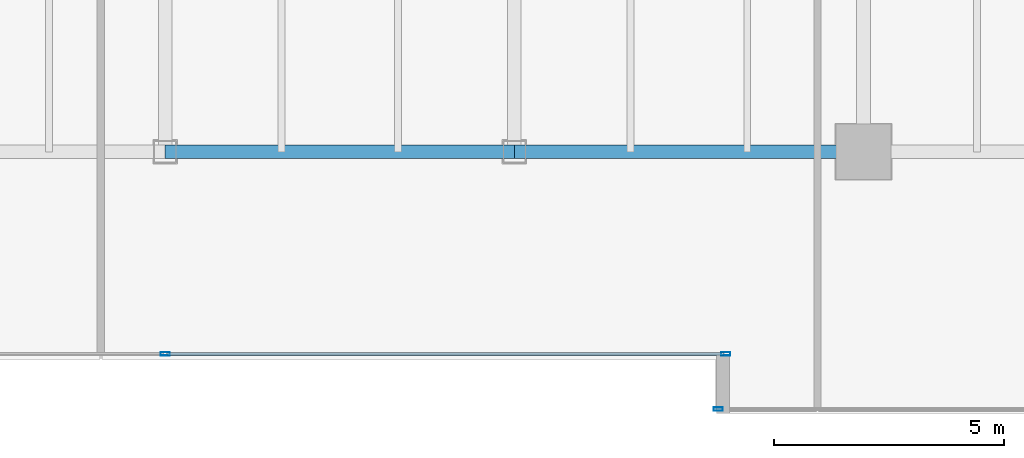
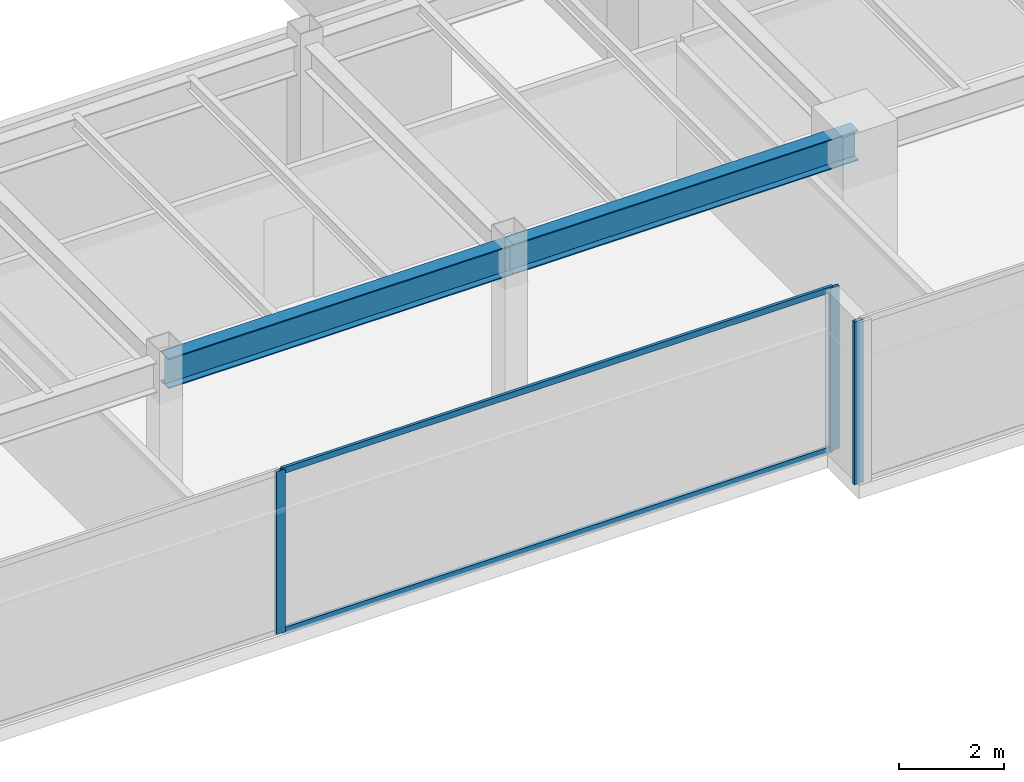
# One storey, part 10 of 34: 5 members, 2 beams, 2 elements without a shape of their own.
"""IFC4 building model written with IfcOpenShell, lengths in metres."""

import ifcopenshell
import ifcopenshell.guid

model = None  # the IFC model being written
_history = None  # IfcOwnerHistory: only IFC2X3 demands one
_inside = {}  # id of a spatial element -> (the spatial element, [elements in it])
_under = {}  # id of a project, library or spatial element -> (it, [spatial elements below it])
_declared = {}  # id of a project -> (the project, [libraries it declares])
_typed = {}  # id of a type object -> (the type object, [elements of that type])
_made_of = {}  # id of a material, layer set ... -> (it, [elements and type objects made of it])


def new_model(schema):
    """Start an empty IFC model of exactly this schema.

    Asked for "IFC4X3", IfcOpenShell would pick the latest addendum, in which some entities
    have other attributes; the version numbers below select the first issue.
    IFC2X3 requires an IfcOwnerHistory on every rooted entity: one is made here for all.
    """
    global model, _history
    if schema == "IFC4X3":
        model = ifcopenshell.file(schema_version=(4, 3, 0, 0))
    else:
        model = ifcopenshell.file(schema=schema)
    _inside.clear()
    _under.clear()
    _declared.clear()
    _typed.clear()
    _made_of.clear()
    _history = None
    if model.schema == "IFC2X3":
        org = make("IfcOrganization", Name="unknown")
        user = make(
            "IfcPersonAndOrganization",
            ThePerson=make("IfcPerson", FamilyName="unknown"),
            TheOrganization=org,
        )
        app = make(
            "IfcApplication",
            ApplicationDeveloper=org,
            Version="unknown",
            ApplicationFullName="unknown",
            ApplicationIdentifier="unknown",
        )
        _history = make(
            "IfcOwnerHistory",
            OwningUser=user,
            OwningApplication=app,
            ChangeAction="ADDED",
            CreationDate=0,
        )
    return model


def make(cls, **values):
    """One entity of the class cls with the attributes given. An attribute that is None is left unset."""
    return model.create_entity(
        cls, **{name: value for name, value in values.items() if value is not None}
    )


def rooted(cls, **values):
    """An entity with a GlobalId (a new one), such as an element, a storey or a relation."""
    return make(cls, GlobalId=ifcopenshell.guid.new(), OwnerHistory=_history, **values)


def si_unit(unit_type, name, prefix=None):
    """IfcSIUnit, for example si_unit("LENGTHUNIT", "METRE", prefix="MILLI")."""
    return make("IfcSIUnit", UnitType=unit_type, Prefix=prefix, Name=name)


def assignment(units):
    """IfcUnitAssignment: the units of a project."""
    return None if units is None else make("IfcUnitAssignment", Units=units)


def point(xyz):
    """IfcCartesianPoint."""
    return None if xyz is None else make("IfcCartesianPoint", Coordinates=xyz)


def direction(xyz):
    """IfcDirection."""
    return None if xyz is None else make("IfcDirection", DirectionRatios=xyz)


def frame(location, z_axis=None, x_axis=None):
    """IfcAxis2Placement3D, a coordinate frame: its origin and axes. An axis left out is left unset."""
    return make(
        "IfcAxis2Placement3D",
        Location=point(location),
        Axis=direction(z_axis),
        RefDirection=direction(x_axis),
    )


def frame_2d(location, x_axis=None):
    """IfcAxis2Placement2D, a coordinate frame in the plane: its origin and x axis."""
    return make(
        "IfcAxis2Placement2D", Location=point(location), RefDirection=direction(x_axis)
    )


def origin():
    """The frame at (0, 0, 0) with its axes left unset."""
    return frame((0.0, 0.0, 0.0))


def origin_2d():
    """The frame at (0, 0) in the plane with its x axis left unset."""
    return frame_2d((0.0, 0.0))


def place(relative_to, where):
    """IfcLocalPlacement: puts the frame where relative to a parent placement (None: the world)."""
    return make(
        "IfcLocalPlacement", PlacementRelTo=relative_to, RelativePlacement=where
    )


def context(
    kind, dimensions, precision=None, world=None, true_north=None, identifier=None
):
    """IfcGeometricRepresentationContext, for example the 3D "Model" context."""
    return make(
        "IfcGeometricRepresentationContext",
        ContextIdentifier=identifier,
        ContextType=kind,
        CoordinateSpaceDimension=dimensions,
        Precision=precision,
        WorldCoordinateSystem=world,
        TrueNorth=true_north,
    )


def subcontext(parent, identifier, kind, view, scale=None):
    """IfcGeometricRepresentationSubContext, for example "Body" below "Model"."""
    return make(
        "IfcGeometricRepresentationSubContext",
        ContextIdentifier=identifier,
        ContextType=kind,
        ParentContext=parent,
        TargetScale=scale,
        TargetView=view,
    )


def project(units=None, contexts=None):
    """IfcProject with its units and contexts."""
    return rooted(
        "IfcProject",
        Name="project",
        RepresentationContexts=contexts,
        UnitsInContext=assignment(units),
    )


def spatial(cls, under=None, at=None, **own):
    """A site, building, storey or space (cls), placed at a placement, below another one or the project."""
    s = rooted(cls, ObjectPlacement=at, **own)
    if under is not None:
        _under.setdefault(under.id(), (under, []))[1].append(s)
    return s


def profile(cls, at=None, kind="AREA", **sizes):
    """A parametric profile (cls). Its sizes go by their IFC names, for example OverallWidth=200.0."""
    return make(cls, ProfileType=kind, Position=at, **sizes)


def hollow_rectangle(**sizes):
    """IfcRectangleHollowProfileDef."""
    return profile("IfcRectangleHollowProfileDef", **sizes)


def i_section(**sizes):
    """IfcIShapeProfileDef."""
    return profile("IfcIShapeProfileDef", **sizes)


def extrude(swept, where, along, depth):
    """IfcExtrudedAreaSolid: the profile swept, set in the frame where, extruded along a direction by depth."""
    return make(
        "IfcExtrudedAreaSolid",
        SweptArea=swept,
        Position=where,
        ExtrudedDirection=direction(along),
        Depth=depth,
    )


def shape(context_of_items, identifier, shape_type, items):
    """IfcShapeRepresentation: the items that make up one representation, for example the "Body"."""
    return make(
        "IfcShapeRepresentation",
        ContextOfItems=context_of_items,
        RepresentationIdentifier=identifier,
        RepresentationType=shape_type,
        Items=items,
    )


def source(mapping_origin, context_of_items, identifier, shape_type, items):
    """IfcRepresentationMap: a shape defined once, which mapped items show again and again."""
    return make(
        "IfcRepresentationMap",
        MappingOrigin=mapping_origin,
        MappedRepresentation=shape(context_of_items, identifier, shape_type, items),
    )


def transform(
    local_origin,
    x_axis=None,
    y_axis=None,
    z_axis=None,
    scale=None,
    scale2=None,
    scale3=None,
    uniform=True,
):
    """IfcCartesianTransformationOperator3D, or its non-uniform kind. x_axis, y_axis, z_axis: its Axis1, 2, 3."""
    if uniform:
        return make(
            "IfcCartesianTransformationOperator3D",
            Axis1=direction(x_axis),
            Axis2=direction(y_axis),
            LocalOrigin=point(local_origin),
            Scale=scale,
            Axis3=direction(z_axis),
        )
    return make(
        "IfcCartesianTransformationOperator3DnonUniform",
        Axis1=direction(x_axis),
        Axis2=direction(y_axis),
        LocalOrigin=point(local_origin),
        Scale=scale,
        Axis3=direction(z_axis),
        Scale2=scale2,
        Scale3=scale3,
    )


def mapped(mapping_source, mapping_target):
    """IfcMappedItem: shows the shape of a source again, moved by a transform."""
    return make(
        "IfcMappedItem", MappingSource=mapping_source, MappingTarget=mapping_target
    )


def material(Name=None, Category=None):
    """IfcMaterial."""
    return make("IfcMaterial", Name=Name, Category=Category)


def layer(
    of_material, thickness, ventilated=None, Name=None, Category=None, Priority=None
):
    """IfcMaterialLayer: one layer of a wall or slab, of a material (None: an air gap)."""
    return make(
        "IfcMaterialLayer",
        Material=of_material,
        LayerThickness=thickness,
        IsVentilated=ventilated,
        Name=Name,
        Category=Category,
        Priority=Priority,
    )


def layer_set(layers, Name=None):
    """IfcMaterialLayerSet."""
    return make("IfcMaterialLayerSet", MaterialLayers=layers, LayerSetName=Name)


def material_profile(
    of_material, cross_section, Name=None, Category=None, Priority=None
):
    """IfcMaterialProfile: a cross section and its material."""
    return make(
        "IfcMaterialProfile",
        Name=Name,
        Material=of_material,
        Profile=cross_section,
        Priority=Priority,
        Category=Category,
    )


def profile_set(profiles, Name=None, composite=None):
    """IfcMaterialProfileSet."""
    return make(
        "IfcMaterialProfileSet",
        Name=Name,
        MaterialProfiles=profiles,
        CompositeProfile=composite,
    )


def made_of(thing, what):
    """Note that an element or type object is made of a material, layer set ...; save() writes the relation."""
    if what is not None:
        _made_of.setdefault(what.id(), (what, []))[1].append(thing)
    return thing


def type_object(cls, material=None, **own):
    """A type object (cls), such as IfcWallType, which elements share."""
    return made_of(rooted(cls, **own), material)


def type_shapes(of_type, sources):
    """Give a type object the sources (RepresentationMaps) that its elements show as mapped items."""
    of_type.RepresentationMaps = sources


def element(
    cls,
    number,
    at=None,
    inside=None,
    cuts=None,
    type_object=None,
    material=None,
    context=None,
    identifier="Body",
    shape_type=None,
    held_by="IfcProductDefinitionShape",
    body=None,
    shapes=None,
    **own,
):
    """One element of the class cls, such as IfcWall. Its Tag is "e" and its number.

    at: its placement. inside: the storey or other place that contains it. cuts: it is an
    opening in that element (IfcRelVoidsElement). A single representation is given by context,
    identifier, shape_type and body (its items); several are given by shapes. held_by: the class
    of the entity that holds the representations. save() writes the other relations.
    """
    e = rooted(cls, Tag="e%d" % number, ObjectPlacement=at, **own)
    if body is not None:
        shapes = [shape(context, identifier, shape_type, body)]
    if shapes is not None:
        e.Representation = make(held_by, Representations=shapes)
    if inside is not None:
        _inside.setdefault(inside.id(), (inside, []))[1].append(e)
    if cuts is not None:
        rooted(
            "IfcRelVoidsElement", RelatingBuildingElement=cuts, RelatedOpeningElement=e
        )
    if type_object is not None:
        _typed.setdefault(type_object.id(), (type_object, []))[1].append(e)
    return made_of(e, material)


def aggregate(whole, parts):
    """IfcRelAggregates: a whole, such as a stair, and the parts it consists of."""
    return rooted("IfcRelAggregates", RelatingObject=whole, RelatedObjects=parts)


def save(model, path):
    """Write the relations noted so far, then the file.

    IfcRelAggregates (storeys below a building ...), IfcRelContainedInSpatialStructure (elements
    in a storey), IfcRelDefinesByType, IfcRelAssociatesMaterial and IfcRelDeclares: one each for
    every whole, place, type object, material and project.
    """
    for whole, parts in _under.values():
        aggregate(whole, parts)
    for where, things in _inside.values():
        rooted(
            "IfcRelContainedInSpatialStructure",
            RelatedElements=things,
            RelatingStructure=where,
        )
    for kind, things in _typed.values():
        rooted("IfcRelDefinesByType", RelatedObjects=things, RelatingType=kind)
    for what, things in _made_of.values():
        rooted("IfcRelAssociatesMaterial", RelatedObjects=things, RelatingMaterial=what)
    for by, libraries in _declared.values():
        rooted("IfcRelDeclares", RelatingContext=by, RelatedDefinitions=libraries)
    model.write(path)


model = new_model("IFC4")

# Units and contexts
model_context = context("Model", 3, precision=1e-05, world=origin(), true_north=direction((0.0, 1.0)))
body_context = subcontext(model_context, "Body", "Model", "MODEL_VIEW")
ifc_project = project(units=[si_unit("LENGTHUNIT", "METRE"), si_unit("AREAUNIT", "SQUARE_METRE"), si_unit("VOLUMEUNIT", "CUBIC_METRE"), si_unit("PLANEANGLEUNIT", "RADIAN"), si_unit("MASSUNIT", "GRAM", prefix="KILO")], contexts=[model_context])

# Site, building, storey
site_placement = place(None, origin())
site = spatial("IfcSite", under=ifc_project, at=site_placement, CompositionType="ELEMENT")
building_placement = place(site_placement, origin())
building = spatial("IfcBuilding", under=site, at=building_placement, Name="Haelvirn Gate Laboratories", CompositionType="ELEMENT")
storey_placement = place(building_placement, frame((0.0, 0.0, 178.89990234375)))
storey = spatial("IfcBuildingStorey", under=building, at=storey_placement, Name="L43", CompositionType="ELEMENT", Elevation=178.89990234375)

# Beams
ifc_material_1 = material(Name="Steel SM355", Category="steel")
ifc_material_profile_1 = material_profile(ifc_material_1, i_section(OverallWidth=0.300048828125, OverallDepth=0.699951171875, WebThickness=0.012939453125, FlangeThickness=0.02392578125, at=origin_2d()), Name="H-700x300x13x24")
ifc_profile_set_1 = profile_set([ifc_material_profile_1], Name="Steel SM355")
beam_type = type_object("IfcBeamType", Name="BM-G-700", PredefinedType="BEAM", material=ifc_profile_set_1)
shared_shape_1 = source(origin(), body_context, "Body", "SweptSolid", [
    extrude(i_section(OverallWidth=0.300048828125, OverallDepth=0.699951171875, WebThickness=0.012939453125, FlangeThickness=0.02392578125, at=origin_2d()), origin(), (0.0, 0.0, 1.0), 7.60009765625),
])
type_shapes(beam_type, [shared_shape_1])
for number, where, z_axis, x_axis, name in (
    (1, (37.39990234375, 7.0, 3.440185546875), (1.0, 0.0, 0.0), (0.0, 1.0, 0.0), "L43 Primary Girder Y7.0 (37.4-45.0)"),
    (2, (45.0, 7.0, 3.440185546875), (1.0, 0.0, 0.0), (0.0, 1.0, 0.0), "L43 Primary Girder Y7.0 (45.0-52.6)"),
):
    element("IfcBeam", number, at=place(storey_placement, frame(where, z_axis=z_axis, x_axis=x_axis)), inside=storey, type_object=beam_type, Name=name, PredefinedType="BEAM", context=body_context, shape_type="MappedRepresentation", body=[
        mapped(shared_shape_1, transform((0.0, 0.0, 0.0), scale=1.0)),
    ])

# Curtain wall, members
ifc_material_2 = material(Name="Anodised bronze unitised aluminium & triple low-E glass", Category="aluminium")
ifc_layer = layer(ifc_material_2, 0.179931640625, Name="CW-SYS-3")
ifc_layer_set = layer_set([ifc_layer], Name="Anodised bronze unitised aluminium & triple low-E glass")
curtain_wall_type = type_object("IfcCurtainWallType", Name="CW-SYS-3", PredefinedType="NOTDEFINED", material=ifc_layer_set)
curtain_wall_1_placement = place(storey_placement, origin())
curtain_wall_1 = element("IfcCurtainWall", 3, at=curtain_wall_1_placement, inside=storey, type_object=curtain_wall_type, Name="L43 Unitised Curtain Wall CW-L43-P0-E02-1", PredefinedType="NOTDEFINED")
ifc_material_3 = material(Name="Extruded aluminium 6063-T6 (anodised bronze)", Category="aluminium")
ifc_material_profile_2 = material_profile(ifc_material_3, hollow_rectangle(XDim=0.06494140625, YDim=0.139892578125, WallThickness=0.00390625, at=origin_2d()), Name="CWT-140x65x4")
ifc_profile_set_2 = profile_set([ifc_material_profile_2], Name="Extruded aluminium 6063-T6 (anodised bronze)")
member_type_1 = type_object("IfcMemberType", Name="CWT-T140", PredefinedType="USERDEFINED", material=ifc_profile_set_2)
shared_shape_2 = source(origin(), body_context, "Body", "SweptSolid", [
    extrude(hollow_rectangle(XDim=0.06494140625, YDim=0.139892578125, WallThickness=0.00390625, at=origin_2d()), origin(), (0.0, 0.0, 1.0), 12.12744140625),
])
type_shapes(member_type_1, [shared_shape_2])
member_1_placement = place(storey_placement, frame((37.4375, 2.60009765625, 0.03271484375), z_axis=(1.0, 0.0, 0.0), x_axis=(0.0, 1.0, 0.0)))
member_1 = element("IfcMember", 4, at=member_1_placement, type_object=member_type_1, Name="CW3 transom 2.1", ObjectType="TRANSOM", PredefinedType="USERDEFINED", context=body_context, shape_type="MappedRepresentation", body=[
    mapped(shared_shape_2, transform((0.0, 0.0, 0.0), scale=1.0)),
])
member_2_placement = place(storey_placement, frame((37.4375, 2.60009765625, 3.757568359375), z_axis=(1.0, 0.0, 0.0), x_axis=(0.0, 1.0, 0.0)))
member_2 = element("IfcMember", 5, at=member_2_placement, type_object=member_type_1, Name="CW3 transom 2.2", ObjectType="TRANSOM", PredefinedType="USERDEFINED", context=body_context, shape_type="MappedRepresentation", body=[
    mapped(shared_shape_2, transform((0.0, 0.0, 0.0), scale=1.0)),
])
ifc_material_profile_3 = material_profile(ifc_material_3, hollow_rectangle(XDim=0.074951171875, YDim=0.199951171875, WallThickness=0.0048828125, at=origin_2d()), Name="CWM-200x75x5")
ifc_profile_set_3 = profile_set([ifc_material_profile_3], Name="Extruded aluminium 6063-T6 (anodised bronze)")
member_type_2 = type_object("IfcMemberType", Name="CWM-T200", PredefinedType="MULLION", material=ifc_profile_set_3)
shared_shape_3 = source(origin(), body_context, "Body", "SweptSolid", [
    extrude(hollow_rectangle(XDim=0.074951171875, YDim=0.199951171875, WallThickness=0.0048828125, at=origin_2d()), origin(), (0.0, 0.0, 1.0), 3.7900390625),
])
type_shapes(member_type_2, [shared_shape_3])
member_3_placement = place(storey_placement, frame((37.39990234375, 2.60009765625, 0.0), z_axis=(0.0, 0.0, 1.0), x_axis=(0.0, 1.0, 0.0)))
member_3 = element("IfcMember", 6, at=member_3_placement, type_object=member_type_2, Name="CW3 mullion 2", PredefinedType="MULLION", context=body_context, shape_type="MappedRepresentation", body=[
    mapped(shared_shape_3, transform((0.0, 0.0, 0.0), scale=1.0)),
])
member_4_placement = place(storey_placement, frame((49.6025390625, 2.60009765625, 0.0), z_axis=(0.0, 0.0, 1.0), x_axis=(0.0, 1.0, 0.0)))
member_4 = element("IfcMember", 7, at=member_4_placement, type_object=member_type_2, Name="CW3 mullion 3", PredefinedType="MULLION", context=body_context, shape_type="MappedRepresentation", body=[
    mapped(shared_shape_3, transform((0.0, 0.0, 0.0), scale=1.0)),
])
aggregate(curtain_wall_1, [member_3, member_4, member_1, member_2])

# Curtain wall, member
curtain_wall_2_placement = place(storey_placement, origin())
curtain_wall_2 = element("IfcCurtainWall", 8, at=curtain_wall_2_placement, inside=storey, type_object=curtain_wall_type, Name="L43 Unitised Curtain Wall CW-L43-P0-E04-1", PredefinedType="NOTDEFINED")
member_5_placement = place(storey_placement, frame((49.4375, 1.39990234375, 0.0), z_axis=(0.0, 0.0, 1.0), x_axis=(0.0, 1.0, 0.0)))
member_5 = element("IfcMember", 9, at=member_5_placement, type_object=member_type_2, Name="CW3 mullion 1", PredefinedType="MULLION", context=body_context, shape_type="MappedRepresentation", body=[
    mapped(shared_shape_3, transform((0.0, 0.0, 0.0), scale=1.0)),
])
aggregate(curtain_wall_2, [member_5])

save(model, "model.ifc")
